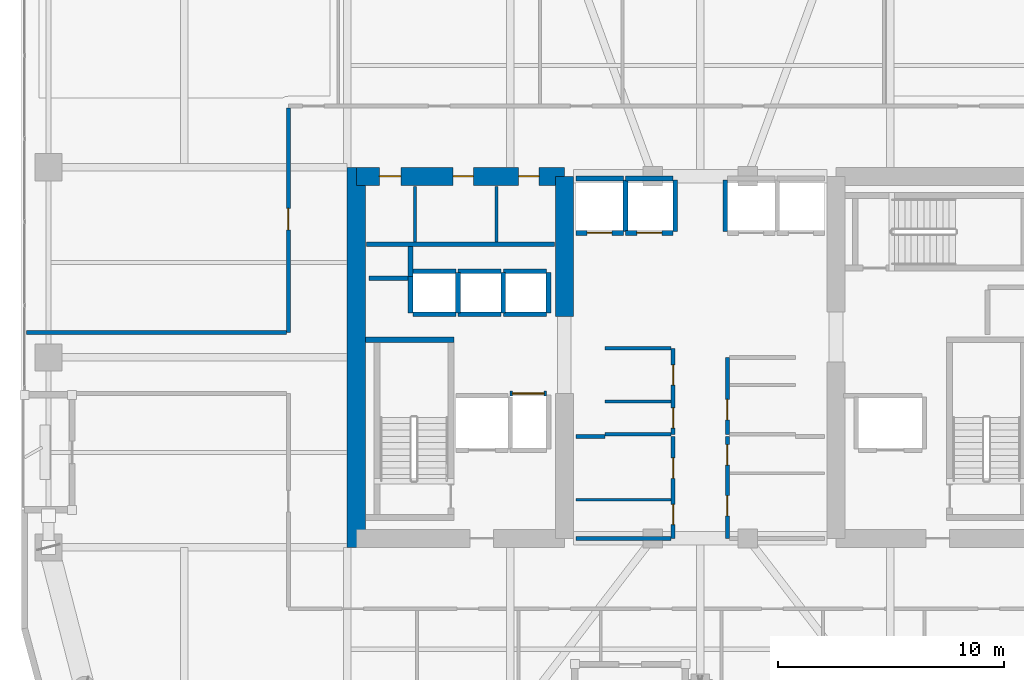
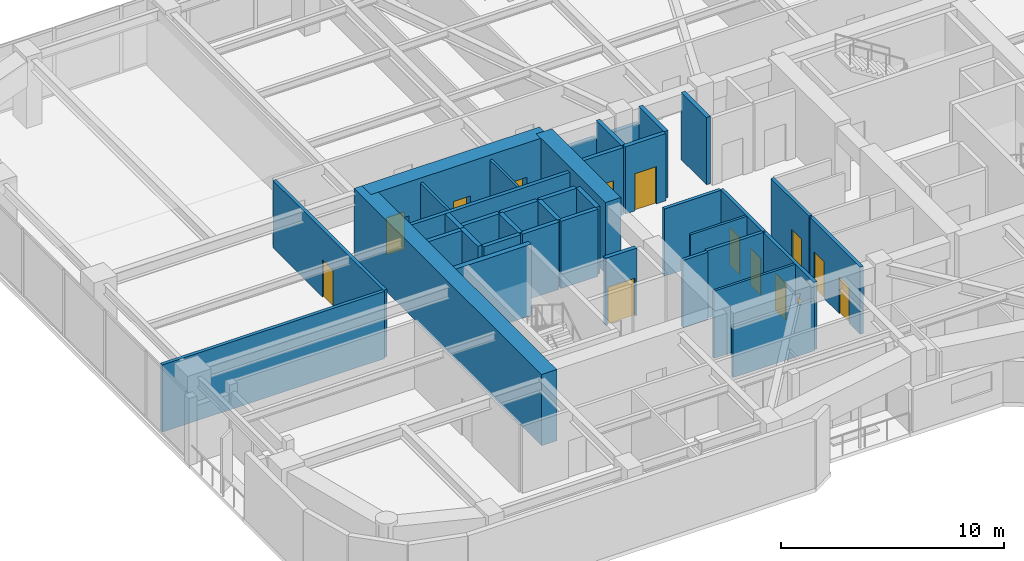
# One storey, part 25 of 30: 39 walls, 14 doors, 14 openings.
"""IFC4 building model written with IfcOpenShell, lengths in metres."""

from ifc_helpers import new_model, si_unit, direction, frame, frame_2d, origin, place, context, subcontext, project, spatial, rectangle, extrude, material, layer, layer_set, type_object, element, fill, save


model = new_model("IFC4")

# Units and contexts
model_context = context("Model", 3, precision=1e-05, world=origin(), true_north=direction((0.0, 1.0)))
body_context = subcontext(model_context, "Body", "Model", "MODEL_VIEW")
ifc_project = project(units=[si_unit("LENGTHUNIT", "METRE"), si_unit("AREAUNIT", "SQUARE_METRE"), si_unit("VOLUMEUNIT", "CUBIC_METRE"), si_unit("PLANEANGLEUNIT", "RADIAN"), si_unit("MASSUNIT", "GRAM", prefix="KILO")], contexts=[model_context])

# Site, building, storey
site_placement = place(None, origin())
site = spatial("IfcSite", under=ifc_project, at=site_placement, CompositionType="ELEMENT")
building_placement = place(site_placement, origin())
building = spatial("IfcBuilding", under=site, at=building_placement, Name="Kiyonajd Concourse Tower", CompositionType="ELEMENT")
storey_placement = place(building_placement, frame((0.0, 0.0, 170.10009765625)))
storey = spatial("IfcBuildingStorey", under=building, at=storey_placement, Name="L43", CompositionType="ELEMENT", Elevation=170.10009765625)

# Walls
ifc_material_1 = material(Name="Concrete C70/85", Category="concrete")
ifc_layer_1 = layer(ifc_material_1, 0.800048828125)
ifc_layer_set_1 = layer_set([ifc_layer_1], Name="Concrete C70/85")
wall_type_1 = type_object("IfcWallType", Name="WL-CORE-800", PredefinedType="SHEAR", material=ifc_layer_set_1)
wall_1_placement = place(storey_placement, frame((32.800048828125, 27.60009765625, 0.0), z_axis=(0.0, 0.0, 1.0), x_axis=(0.0, 1.0, 0.0)))
element("IfcWall", 1, at=wall_1_placement, inside=storey, type_object=wall_type_1, Name="L43 West Core Outer Shear Wall", PredefinedType="SHEAR", context=body_context, shape_type="SweptSolid", body=[
    extrude(rectangle(XDim=16.7998046875, YDim=0.800048828125, at=frame_2d((8.39990234375, 0.0))), origin(), (0.0, 0.0, 1.0), 3.89990234375),
])
wall_2_placement = place(storey_placement, frame((42.0, 37.800048828125, 0.0), z_axis=(0.0, 0.0, 1.0), x_axis=(0.0, 1.0, 0.0)))
element("IfcWall", 2, at=wall_2_placement, inside=storey, type_object=wall_type_1, Name="L43 West Core Inner North Shear Wall", PredefinedType="SHEAR", context=body_context, shape_type="SweptSolid", body=[
    extrude(rectangle(XDim=6.199951171875, YDim=0.800048828125, at=frame_2d((3.10009765625, 0.0))), origin(), (0.0, 0.0, 1.0), 3.89990234375),
])

# Wall, openings, doors
wall_3_placement = place(storey_placement, frame((32.800048828125, 44.0, 0.0), z_axis=(0.0, 0.0, 1.0), x_axis=(1.0, 0.0, 0.0)))
wall_3 = element("IfcWall", 3, at=wall_3_placement, inside=storey, type_object=wall_type_1, Name="L43 West Core North Shear Wall", PredefinedType="SHEAR", context=body_context, shape_type="SweptSolid", body=[
    extrude(rectangle(XDim=9.199951171875, YDim=0.800048828125, at=frame_2d((4.60009765625, 0.0))), origin(), (0.0, 0.0, 1.0), 3.89990234375),
])
opening_1_placement = place(wall_3_placement, frame((1.02490234375, 0.0, 0.0)))
opening_1 = element("IfcOpeningElement", 4, at=opening_1_placement, cuts=wall_3, Name="Opening DI1", PredefinedType="OPENING", context=body_context, shape_type="SweptSolid", body=[
    extrude(rectangle(XDim=0.949951171875, YDim=2.0400390625, at=frame_2d((0.47509765625, 1.02001953125))), frame((0.0, 0.409912109375, 0.0), z_axis=(0.0, -1.0, 0.0), x_axis=(1.0, 0.0, 0.0)), (0.0, 0.0, 1.0), 0.820068359375),
])
opening_2_placement = place(wall_3_placement, frame((4.27490234375, 0.0, 0.0)))
opening_2 = element("IfcOpeningElement", 5, at=opening_2_placement, cuts=wall_3, Name="Opening DI2", PredefinedType="OPENING", context=body_context, shape_type="SweptSolid", body=[
    extrude(rectangle(XDim=0.89990234375, YDim=2.02001953125, at=frame_2d((0.449951171875, 1.010009765625))), frame((0.0, 0.409912109375, 0.0), z_axis=(0.0, -1.0, 0.0), x_axis=(1.0, 0.0, 0.0)), (0.0, 0.0, 1.0), 0.820068359375),
])
opening_3_placement = place(wall_3_placement, frame((7.175048828125, 0.0, 0.0)))
opening_3 = element("IfcOpeningElement", 6, at=opening_3_placement, cuts=wall_3, Name="Opening DI2", PredefinedType="OPENING", context=body_context, shape_type="SweptSolid", body=[
    extrude(rectangle(XDim=0.89990234375, YDim=2.02001953125, at=frame_2d((0.449951171875, 1.010009765625))), frame((0.0, 0.409912109375, 0.0), z_axis=(0.0, -1.0, 0.0), x_axis=(1.0, 0.0, 0.0)), (0.0, 0.0, 1.0), 0.820068359375),
])
ifc_material_2 = material(Name="Natural Oak Acoustic Timber Veneer", Category="wood")
door_type_1 = type_object("IfcDoorType", Name="DR-INT-900", OperationType="NOTDEFINED", PredefinedType="DOOR", material=ifc_material_2)
door_1_placement = place(opening_2_placement, origin())
door_1 = element("IfcDoor", 7, at=door_1_placement, inside=storey, type_object=door_type_1, Name="L43 Male Restroom Door", OperationType="SINGLE_SWING_RIGHT", OverallHeight=2.02001953125, OverallWidth=0.89990234375, PredefinedType="DOOR", context=body_context, shape_type="SweptSolid", body=[
    extrude(rectangle(XDim=0.89990234375, YDim=2.02001953125, at=frame_2d((0.449951171875, 1.010009765625))), frame((0.0, 0.02490234375, 0.0), z_axis=(0.0, -1.0, 0.0), x_axis=(1.0, 0.0, 0.0)), (0.0, 0.0, 1.0), 0.050048828125),
])
fill(opening_2, door_1)
door_2_placement = place(opening_3_placement, origin())
door_2 = element("IfcDoor", 8, at=door_2_placement, inside=storey, type_object=door_type_1, Name="L43 Female Restroom Door", OperationType="SINGLE_SWING_LEFT", OverallHeight=2.02001953125, OverallWidth=0.89990234375, PredefinedType="DOOR", context=body_context, shape_type="SweptSolid", body=[
    extrude(rectangle(XDim=0.89990234375, YDim=2.02001953125, at=frame_2d((0.449951171875, 1.010009765625))), frame((0.0, 0.02490234375, 0.0), z_axis=(0.0, -1.0, 0.0), x_axis=(1.0, 0.0, 0.0)), (0.0, 0.0, 1.0), 0.050048828125),
])
fill(opening_3, door_2)
door_type_2 = type_object("IfcDoorType", Name="DR-INT-950", OperationType="NOTDEFINED", PredefinedType="DOOR", material=ifc_material_2)
door_3_placement = place(opening_1_placement, origin())
door_3 = element("IfcDoor", 9, at=door_3_placement, inside=storey, type_object=door_type_2, Name="L43 Single User Accessible WC Door", OperationType="SINGLE_SWING_LEFT", OverallHeight=2.0400390625, OverallWidth=0.949951171875, PredefinedType="DOOR", context=body_context, shape_type="SweptSolid", body=[
    extrude(rectangle(XDim=0.949951171875, YDim=2.0400390625, at=frame_2d((0.47509765625, 1.02001953125))), frame((0.0, 0.02490234375, 0.0), z_axis=(0.0, -1.0, 0.0), x_axis=(1.0, 0.0, 0.0)), (0.0, 0.0, 1.0), 0.050048828125),
])
fill(opening_1, door_3)

# Walls
ifc_material_3 = material(Name="Gypsum Board on Cold-Formed Steel Stud", Category="steel")
ifc_layer_2 = layer(ifc_material_3, 0.125)
ifc_layer_set_2 = layer_set([ifc_layer_2], Name="Gypsum Board on Cold-Formed Steel Stud")
wall_type_2 = type_object("IfcWallType", Name="WL-PART-125", PredefinedType="PARTITIONING", material=ifc_layer_set_2)
for number, where, z_axis, x_axis, name in (
    (10, (35.39990234375, 41.094970703125, 0.0), (0.0, 0.0, 1.0), (0.0, 1.0, 0.0), "L43 Interior Partition Wall"),
    (11, (39.0, 41.094970703125, 0.0), (0.0, 0.0, 1.0), (0.0, 1.0, 0.0), "L43 Interior Partition Wall"),
):
    element("IfcWall", number, at=place(storey_placement, frame(where, z_axis=z_axis, x_axis=x_axis)), inside=storey, type_object=wall_type_2, Name=name, PredefinedType="PARTITIONING", context=body_context, shape_type="SweptSolid", body=[
        extrude(rectangle(XDim=2.455078125, YDim=0.125, at=frame_2d((1.2275390625, 0.0))), origin(), (0.0, 0.0, 1.0), 3.679931640625),
    ])
wall_4_placement = place(storey_placement, frame((43.800048828125, 34.0439453125, 0.0), z_axis=(0.0, 0.0, 1.0), x_axis=(1.0, 0.0, 0.0)))
element("IfcWall", 12, at=wall_4_placement, inside=storey, type_object=wall_type_2, Name="L43 Interior Partition Wall", PredefinedType="PARTITIONING", context=body_context, shape_type="SweptSolid", body=[
    extrude(rectangle(XDim=2.912841796875, YDim=0.125, at=frame_2d((1.45654296875, 0.0))), origin(), (0.0, 0.0, 1.0), 3.679931640625),
])
wall_5_placement = place(storey_placement, frame((42.5, 29.7099609375, 0.0), z_axis=(0.0, 0.0, 1.0), x_axis=(1.0, 0.0, 0.0)))
element("IfcWall", 13, at=wall_5_placement, inside=storey, type_object=wall_type_2, Name="L43 Interior Partition Wall", PredefinedType="PARTITIONING", context=body_context, shape_type="SweptSolid", body=[
    extrude(rectangle(XDim=4.212890625, YDim=0.125, at=frame_2d((2.1064453125, 0.0))), origin(), (0.0, 0.0, 1.0), 3.679931640625),
])
ifc_layer_3 = layer(ifc_material_3, 0.18994140625)
ifc_layer_set_3 = layer_set([ifc_layer_3], Name="Gypsum Board on Cold-Formed Steel Stud")
wall_type_3 = type_object("IfcWallType", Name="WL-PLMB-190", PredefinedType="PLUMBINGWALL", material=ifc_layer_set_3)
wall_6_placement = place(storey_placement, frame((33.25, 41.0, 0.0), z_axis=(0.0, 0.0, 1.0), x_axis=(1.0, 0.0, 0.0)))
element("IfcWall", 14, at=wall_6_placement, inside=storey, type_object=wall_type_3, Name="L43 Interior Partition Wall", PredefinedType="PLUMBINGWALL", context=body_context, shape_type="SweptSolid", body=[
    extrude(rectangle(XDim=8.300048828125, YDim=0.18994140625, at=frame_2d((4.14990234375, 0.0))), origin(), (0.0, 0.0, 1.0), 3.679931640625),
])
ifc_layer_4 = layer(ifc_material_3, 0.2099609375)
ifc_layer_set_4 = layer_set([ifc_layer_4], Name="Gypsum Board on Cold-Formed Steel Stud")
wall_type_4 = type_object("IfcWallType", Name="WL-SHAFT-210", PredefinedType="PARTITIONING", material=ifc_layer_set_4)
wall_7_placement = place(storey_placement, frame((33.360107421875, 39.5, 0.0), z_axis=(0.0, 0.0, 1.0), x_axis=(1.0, 0.0, 0.0)))
element("IfcWall", 15, at=wall_7_placement, inside=storey, type_object=wall_type_4, Name="L43 Shaft Enclosure Wall", PredefinedType="PARTITIONING", context=body_context, shape_type="SweptSolid", body=[
    extrude(rectangle(XDim=1.85986328125, YDim=0.2099609375, at=frame_2d((0.929931640625, 0.0))), origin(), (0.0, 0.0, 1.0), 3.679931640625),
])
wall_8_placement = place(storey_placement, frame((35.199951171875, 39.580078125, 0.0), z_axis=(0.0, 0.0, 1.0), x_axis=(0.0, 1.0, 0.0)))
element("IfcWall", 16, at=wall_8_placement, inside=storey, type_object=wall_type_4, Name="L43 Shaft Enclosure Wall", PredefinedType="PARTITIONING", context=body_context, shape_type="SweptSolid", body=[
    extrude(rectangle(XDim=1.31982421875, YDim=0.2099609375, at=frame_2d((0.659912109375, 0.0))), origin(), (0.0, 0.0, 1.0), 3.679931640625),
])

# Wall, opening, door
wall_9_placement = place(storey_placement, frame((39.60009765625, 34.39990234375, 0.0), z_axis=(0.0, 0.0, 1.0), x_axis=(1.0, 0.0, 0.0)))
wall_9 = element("IfcWall", 17, at=wall_9_placement, inside=storey, type_object=wall_type_4, Name="L43 Shaft Enclosure Wall", PredefinedType="PARTITIONING", context=body_context, shape_type="SweptSolid", body=[
    extrude(rectangle(XDim=1.599853515625, YDim=0.2099609375, at=frame_2d((0.7998046875, 0.0))), origin(), (0.0, 0.0, 1.0), 3.679931640625),
])
opening_4_placement = place(wall_9_placement, frame((0.10009765625, 0.0, 0.0)))
opening_4 = element("IfcOpeningElement", 18, at=opening_4_placement, cuts=wall_9, Name="Opening LD3", PredefinedType="OPENING", context=body_context, shape_type="SweptSolid", body=[
    extrude(rectangle(XDim=1.39990234375, YDim=2.06005859375, at=frame_2d((0.699951171875, 1.030029296875))), frame((0.0, 0.114990234375, 0.0), z_axis=(0.0, -1.0, 0.0), x_axis=(1.0, 0.0, 0.0)), (0.0, 0.0, 1.0), 0.22998046875),
])
ifc_material_4 = material(Name="Brushed Stainless Steel Cab Assembly", Category="steel")
door_type_3 = type_object("IfcDoorType", Name="DR-LD-1400", OperationType="DOUBLE_DOOR_SLIDING", PredefinedType="DOOR", material=ifc_material_4)
door_4_placement = place(opening_4_placement, origin())
door_4 = element("IfcDoor", 19, at=door_4_placement, inside=storey, type_object=door_type_3, Name="L43 Lift SVL1 Sliding Landing Door", OperationType="DOUBLE_DOOR_SLIDING", OverallHeight=2.06005859375, OverallWidth=1.39990234375, PredefinedType="DOOR", context=body_context, shape_type="SweptSolid", body=[
    extrude(rectangle(XDim=1.39990234375, YDim=2.06005859375, at=frame_2d((0.699951171875, 1.030029296875))), frame((0.0, 0.02490234375, 0.0), z_axis=(0.0, -1.0, 0.0), x_axis=(1.0, 0.0, 0.0)), (0.0, 0.0, 1.0), 0.050048828125),
])
fill(opening_4, door_4)

wall_10_placement = place(storey_placement, frame((42.5, 41.5, 0.0), z_axis=(0.0, 0.0, 1.0), x_axis=(1.0, 0.0, 0.0)))
wall_10 = element("IfcWall", 20, at=wall_10_placement, inside=storey, type_object=wall_type_4, Name="L43 Shaft Enclosure Wall", PredefinedType="PARTITIONING", context=body_context, shape_type="SweptSolid", body=[
    extrude(rectangle(XDim=2.10009765625, YDim=0.2099609375, at=frame_2d((1.050048828125, 0.0))), origin(), (0.0, 0.0, 1.0), 3.679931640625),
])
opening_5_placement = place(wall_10_placement, frame((0.5, 0.0, 0.0)))
opening_5 = element("IfcOpeningElement", 21, at=opening_5_placement, cuts=wall_10, Name="Opening LD1", PredefinedType="OPENING", context=body_context, shape_type="SweptSolid", body=[
    extrude(rectangle(XDim=1.10009765625, YDim=2.0400390625, at=frame_2d((0.550048828125, 1.02001953125))), frame((0.0, 0.114990234375, 0.0), z_axis=(0.0, -1.0, 0.0), x_axis=(1.0, 0.0, 0.0)), (0.0, 0.0, 1.0), 0.22998046875),
])
door_type_4 = type_object("IfcDoorType", Name="DR-LD-1100", OperationType="DOUBLE_DOOR_SLIDING", PredefinedType="DOOR", material=ifc_material_4)
door_5_placement = place(opening_5_placement, origin())
door_5 = element("IfcDoor", 22, at=door_5_placement, inside=storey, type_object=door_type_4, Name="L43 Lift PL-M1 Sliding Landing Door", OperationType="DOUBLE_DOOR_SLIDING", OverallHeight=2.0400390625, OverallWidth=1.10009765625, PredefinedType="DOOR", context=body_context, shape_type="SweptSolid", body=[
    extrude(rectangle(XDim=1.10009765625, YDim=2.0400390625, at=frame_2d((0.550048828125, 1.02001953125))), frame((0.0, 0.02490234375, 0.0), z_axis=(0.0, -1.0, 0.0), x_axis=(1.0, 0.0, 0.0)), (0.0, 0.0, 1.0), 0.050048828125),
])
fill(opening_5, door_5)

# Walls
wall_11_placement = place(storey_placement, frame((42.5, 43.89990234375, 0.0), z_axis=(0.0, 0.0, 1.0), x_axis=(1.0, 0.0, 0.0)))
element("IfcWall", 23, at=wall_11_placement, inside=storey, type_object=wall_type_4, Name="L43 Shaft Enclosure Wall", PredefinedType="PARTITIONING", context=body_context, shape_type="SweptSolid", body=[
    extrude(rectangle(XDim=2.10009765625, YDim=0.2099609375, at=frame_2d((1.050048828125, 0.0))), origin(), (0.0, 0.0, 1.0), 2.764892578125),
])
wall_12_placement = place(storey_placement, frame((44.699951171875, 41.56005859375, 0.0), z_axis=(0.0, 0.0, 1.0), x_axis=(0.0, 1.0, 0.0)))
element("IfcWall", 24, at=wall_12_placement, inside=storey, type_object=wall_type_4, Name="L43 Shaft Enclosure Wall", PredefinedType="PARTITIONING", context=body_context, shape_type="SweptSolid", body=[
    extrude(rectangle(XDim=2.280029296875, YDim=0.2099609375, at=frame_2d((1.14013671875, 0.0))), origin(), (0.0, 0.0, 1.0), 3.679931640625),
])

# Wall, opening, door
wall_13_placement = place(storey_placement, frame((44.699951171875, 41.5, 0.0), z_axis=(0.0, 0.0, 1.0), x_axis=(1.0, 0.0, 0.0)))
wall_13 = element("IfcWall", 25, at=wall_13_placement, inside=storey, type_object=wall_type_4, Name="L43 Shaft Enclosure Wall", PredefinedType="PARTITIONING", context=body_context, shape_type="SweptSolid", body=[
    extrude(rectangle(XDim=2.10009765625, YDim=0.2099609375, at=frame_2d((1.050048828125, 0.0))), origin(), (0.0, 0.0, 1.0), 3.679931640625),
])
opening_6_placement = place(wall_13_placement, frame((0.5, 0.0, 0.0)))
opening_6 = element("IfcOpeningElement", 26, at=opening_6_placement, cuts=wall_13, Name="Opening LD1", PredefinedType="OPENING", context=body_context, shape_type="SweptSolid", body=[
    extrude(rectangle(XDim=1.10009765625, YDim=2.0400390625, at=frame_2d((0.550048828125, 1.02001953125))), frame((0.0, 0.114990234375, 0.0), z_axis=(0.0, -1.0, 0.0), x_axis=(1.0, 0.0, 0.0)), (0.0, 0.0, 1.0), 0.22998046875),
])
door_6_placement = place(opening_6_placement, origin())
door_6 = element("IfcDoor", 27, at=door_6_placement, inside=storey, type_object=door_type_4, Name="L43 Lift PL-M2 Sliding Landing Door", OperationType="DOUBLE_DOOR_SLIDING", OverallHeight=2.0400390625, OverallWidth=1.10009765625, PredefinedType="DOOR", context=body_context, shape_type="SweptSolid", body=[
    extrude(rectangle(XDim=1.10009765625, YDim=2.0400390625, at=frame_2d((0.550048828125, 1.02001953125))), frame((0.0, 0.02490234375, 0.0), z_axis=(0.0, -1.0, 0.0), x_axis=(1.0, 0.0, 0.0)), (0.0, 0.0, 1.0), 0.050048828125),
])
fill(opening_6, door_6)

# Walls
wall_14_placement = place(storey_placement, frame((44.699951171875, 43.89990234375, 0.0), z_axis=(0.0, 0.0, 1.0), x_axis=(1.0, 0.0, 0.0)))
element("IfcWall", 28, at=wall_14_placement, inside=storey, type_object=wall_type_4, Name="L43 Shaft Enclosure Wall", PredefinedType="PARTITIONING", context=body_context, shape_type="SweptSolid", body=[
    extrude(rectangle(XDim=2.10009765625, YDim=0.2099609375, at=frame_2d((1.050048828125, 0.0))), origin(), (0.0, 0.0, 1.0), 2.764892578125),
])
for number, where, z_axis, x_axis, name in (
    (29, (46.89990234375, 41.56005859375, 0.0), (0.0, 0.0, 1.0), (0.0, 1.0, 0.0), "L43 Shaft Enclosure Wall"),
    (30, (49.10009765625, 41.56005859375, 0.0), (0.0, 0.0, 1.0), (0.0, 1.0, 0.0), "L43 Shaft Enclosure Wall"),
):
    element("IfcWall", number, at=place(storey_placement, frame(where, z_axis=z_axis, x_axis=x_axis)), inside=storey, type_object=wall_type_4, Name=name, PredefinedType="PARTITIONING", context=body_context, shape_type="SweptSolid", body=[
        extrude(rectangle(XDim=2.280029296875, YDim=0.2099609375, at=frame_2d((1.14013671875, 0.0))), origin(), (0.0, 0.0, 1.0), 3.679931640625),
    ])
for number, where, z_axis, x_axis, name in (
    (31, (35.300048828125, 37.89990234375, 0.0), (0.0, 0.0, 1.0), (1.0, 0.0, 0.0), "L43 Shaft Enclosure Wall"),
    (32, (35.300048828125, 39.800048828125, 0.0), (0.0, 0.0, 1.0), (1.0, 0.0, 0.0), "L43 Shaft Enclosure Wall"),
):
    element("IfcWall", number, at=place(storey_placement, frame(where, z_axis=z_axis, x_axis=x_axis)), inside=storey, type_object=wall_type_4, Name=name, PredefinedType="PARTITIONING", context=body_context, shape_type="SweptSolid", body=[
        extrude(rectangle(XDim=1.89990234375, YDim=0.2099609375, at=frame_2d((0.949951171875, 0.0))), origin(), (0.0, 0.0, 1.0), 3.679931640625),
    ])
wall_15_placement = place(storey_placement, frame((35.199951171875, 37.9599609375, 0.0), z_axis=(0.0, 0.0, 1.0), x_axis=(0.0, 1.0, 0.0)))
element("IfcWall", 33, at=wall_15_placement, inside=storey, type_object=wall_type_4, Name="L43 Shaft Enclosure Wall", PredefinedType="PARTITIONING", context=body_context, shape_type="SweptSolid", body=[
    extrude(rectangle(XDim=1.6201171875, YDim=0.2099609375, at=frame_2d((0.81005859375, 0.0))), origin(), (0.0, 0.0, 1.0), 3.679931640625),
])
wall_16_placement = place(storey_placement, frame((37.300048828125, 37.9599609375, 0.0), z_axis=(0.0, 0.0, 1.0), x_axis=(0.0, 1.0, 0.0)))
element("IfcWall", 34, at=wall_16_placement, inside=storey, type_object=wall_type_4, Name="L43 Shaft Enclosure Wall", PredefinedType="PARTITIONING", context=body_context, shape_type="SweptSolid", body=[
    extrude(rectangle(XDim=1.780029296875, YDim=0.2099609375, at=frame_2d((0.89013671875, 0.0))), origin(), (0.0, 0.0, 1.0), 3.679931640625),
])
for number, where, z_axis, x_axis, name in (
    (35, (37.300048828125, 37.89990234375, 0.0), (0.0, 0.0, 1.0), (1.0, 0.0, 0.0), "L43 Shaft Enclosure Wall"),
    (36, (37.300048828125, 39.800048828125, 0.0), (0.0, 0.0, 1.0), (1.0, 0.0, 0.0), "L43 Shaft Enclosure Wall"),
):
    element("IfcWall", number, at=place(storey_placement, frame(where, z_axis=z_axis, x_axis=x_axis)), inside=storey, type_object=wall_type_4, Name=name, PredefinedType="PARTITIONING", context=body_context, shape_type="SweptSolid", body=[
        extrude(rectangle(XDim=1.89990234375, YDim=0.2099609375, at=frame_2d((0.949951171875, 0.0))), origin(), (0.0, 0.0, 1.0), 3.679931640625),
    ])
wall_17_placement = place(storey_placement, frame((39.300048828125, 37.9599609375, 0.0), z_axis=(0.0, 0.0, 1.0), x_axis=(0.0, 1.0, 0.0)))
element("IfcWall", 37, at=wall_17_placement, inside=storey, type_object=wall_type_4, Name="L43 Shaft Enclosure Wall", PredefinedType="PARTITIONING", context=body_context, shape_type="SweptSolid", body=[
    extrude(rectangle(XDim=1.780029296875, YDim=0.2099609375, at=frame_2d((0.89013671875, 0.0))), origin(), (0.0, 0.0, 1.0), 3.679931640625),
])
for number, where, z_axis, x_axis, name in (
    (38, (39.300048828125, 37.89990234375, 0.0), (0.0, 0.0, 1.0), (1.0, 0.0, 0.0), "L43 Shaft Enclosure Wall"),
    (39, (39.300048828125, 39.800048828125, 0.0), (0.0, 0.0, 1.0), (1.0, 0.0, 0.0), "L43 Shaft Enclosure Wall"),
):
    element("IfcWall", number, at=place(storey_placement, frame(where, z_axis=z_axis, x_axis=x_axis)), inside=storey, type_object=wall_type_4, Name=name, PredefinedType="PARTITIONING", context=body_context, shape_type="SweptSolid", body=[
        extrude(rectangle(XDim=1.89990234375, YDim=0.2099609375, at=frame_2d((0.949951171875, 0.0))), origin(), (0.0, 0.0, 1.0), 3.679931640625),
    ])
wall_18_placement = place(storey_placement, frame((41.300048828125, 37.9599609375, 0.0), z_axis=(0.0, 0.0, 1.0), x_axis=(0.0, 1.0, 0.0)))
element("IfcWall", 40, at=wall_18_placement, inside=storey, type_object=wall_type_4, Name="L43 Shaft Enclosure Wall", PredefinedType="PARTITIONING", context=body_context, shape_type="SweptSolid", body=[
    extrude(rectangle(XDim=1.780029296875, YDim=0.2099609375, at=frame_2d((0.89013671875, 0.0))), origin(), (0.0, 0.0, 1.0), 3.679931640625),
])

# Wall, openings, doors
ifc_layer_5 = layer(ifc_material_3, 0.169921875)
ifc_layer_set_5 = layer_set([ifc_layer_5], Name="Gypsum Board on Cold-Formed Steel Stud")
wall_type_5 = type_object("IfcWallType", Name="WL-SMK-170", PredefinedType="PARTITIONING", material=ifc_layer_set_5)
wall_19_placement = place(storey_placement, frame((46.800048828125, 32.60009765625, 0.0), z_axis=(0.0, 0.0, 1.0), x_axis=(0.0, 1.0, 0.0)))
wall_19 = element("IfcWall", 41, at=wall_19_placement, inside=storey, type_object=wall_type_5, Name="L43 Interior Partition Wall", PredefinedType="PARTITIONING", context=body_context, shape_type="SweptSolid", body=[
    extrude(rectangle(XDim=3.7998046875, YDim=0.169921875, at=frame_2d((1.89990234375, 0.0))), origin(), (0.0, 0.0, 1.0), 3.679931640625),
])
opening_7_placement = place(wall_19_placement, frame((0.27197265625, 0.0, 0.0)))
opening_7 = element("IfcOpeningElement", 42, at=opening_7_placement, cuts=wall_19, Name="Opening DI2", PredefinedType="OPENING", context=body_context, shape_type="SweptSolid", body=[
    extrude(rectangle(XDim=0.89990234375, YDim=2.02001953125, at=frame_2d((0.449951171875, 1.010009765625))), frame((0.0, 0.094970703125, 0.0), z_axis=(0.0, -1.0, 0.0), x_axis=(1.0, 0.0, 0.0)), (0.0, 0.0, 1.0), 0.18994140625),
])
opening_8_placement = place(wall_19_placement, frame((2.172119140625, 0.0, 0.0)))
opening_8 = element("IfcOpeningElement", 43, at=opening_8_placement, cuts=wall_19, Name="Opening DI2", PredefinedType="OPENING", context=body_context, shape_type="SweptSolid", body=[
    extrude(rectangle(XDim=0.89990234375, YDim=2.02001953125, at=frame_2d((0.449951171875, 1.010009765625))), frame((0.0, 0.094970703125, 0.0), z_axis=(0.0, -1.0, 0.0), x_axis=(1.0, 0.0, 0.0)), (0.0, 0.0, 1.0), 0.18994140625),
])
door_7_placement = place(opening_7_placement, origin())
door_7 = element("IfcDoor", 44, at=door_7_placement, inside=storey, type_object=door_type_1, Name="L43 Interior Door", OperationType="SINGLE_SWING_LEFT", OverallHeight=2.02001953125, OverallWidth=0.89990234375, PredefinedType="DOOR", context=body_context, shape_type="SweptSolid", body=[
    extrude(rectangle(XDim=0.89990234375, YDim=2.02001953125, at=frame_2d((0.449951171875, 1.010009765625))), frame((0.0, 0.02490234375, 0.0), z_axis=(0.0, -1.0, 0.0), x_axis=(1.0, 0.0, 0.0)), (0.0, 0.0, 1.0), 0.050048828125),
])
fill(opening_7, door_7)
door_8_placement = place(opening_8_placement, origin())
door_8 = element("IfcDoor", 45, at=door_8_placement, inside=storey, type_object=door_type_1, Name="L43 Interior Door", OperationType="SINGLE_SWING_RIGHT", OverallHeight=2.02001953125, OverallWidth=0.89990234375, PredefinedType="DOOR", context=body_context, shape_type="SweptSolid", body=[
    extrude(rectangle(XDim=0.89990234375, YDim=2.02001953125, at=frame_2d((0.449951171875, 1.010009765625))), frame((0.0, 0.02490234375, 0.0), z_axis=(0.0, -1.0, 0.0), x_axis=(1.0, 0.0, 0.0)), (0.0, 0.0, 1.0), 0.050048828125),
])
fill(opening_8, door_8)

# Walls
for number, where, z_axis, x_axis, name in (
    (46, (43.800048828125, 32.60009765625, 0.0), (0.0, 0.0, 1.0), (1.0, 0.0, 0.0), "L43 Interior Partition Wall"),
    (47, (43.800048828125, 36.39990234375, 0.0), (0.0, 0.0, 1.0), (1.0, 0.0, 0.0), "L43 Interior Partition Wall"),
):
    element("IfcWall", number, at=place(storey_placement, frame(where, z_axis=z_axis, x_axis=x_axis)), inside=storey, type_object=wall_type_5, Name=name, PredefinedType="PARTITIONING", context=body_context, shape_type="SweptSolid", body=[
        extrude(rectangle(XDim=2.912841796875, YDim=0.169921875, at=frame_2d((1.45654296875, 0.0))), origin(), (0.0, 0.0, 1.0), 3.679931640625),
    ])

# Wall, opening, door
wall_20_placement = place(storey_placement, frame((49.199951171875, 32.60009765625, 0.0), z_axis=(0.0, 0.0, 1.0), x_axis=(0.0, 1.0, 0.0)))
wall_20 = element("IfcWall", 48, at=wall_20_placement, inside=storey, type_object=wall_type_5, Name="L43 Interior Partition Wall", PredefinedType="PARTITIONING", context=body_context, shape_type="SweptSolid", body=[
    extrude(rectangle(XDim=3.39990234375, YDim=0.169921875, at=frame_2d((1.699951171875, 0.0))), origin(), (0.0, 0.0, 1.0), 3.679931640625),
])
opening_9_placement = place(wall_20_placement, frame((0.637939453125, 0.0, 0.0)))
opening_9 = element("IfcOpeningElement", 49, at=opening_9_placement, cuts=wall_20, Name="Opening DF4", PredefinedType="OPENING", context=body_context, shape_type="SweptSolid", body=[
    extrude(rectangle(XDim=0.89990234375, YDim=2.02001953125, at=frame_2d((0.449951171875, 1.010009765625))), frame((0.0, 0.094970703125, 0.0), z_axis=(0.0, -1.0, 0.0), x_axis=(1.0, 0.0, 0.0)), (0.0, 0.0, 1.0), 0.18994140625),
])
door_type_5 = type_object("IfcDoorType", Name="DR-FD60-900", OperationType="NOTDEFINED", PredefinedType="DOOR", material=ifc_material_4)
door_9_placement = place(opening_9_placement, origin())
door_9 = element("IfcDoor", 50, at=door_9_placement, inside=storey, type_object=door_type_5, Name="L43 Interior Door", OperationType="SINGLE_SWING_LEFT", OverallHeight=2.02001953125, OverallWidth=0.89990234375, PredefinedType="DOOR", context=body_context, shape_type="SweptSolid", body=[
    extrude(rectangle(XDim=0.89990234375, YDim=2.02001953125, at=frame_2d((0.449951171875, 1.010009765625))), frame((0.0, 0.02490234375, 0.0), z_axis=(0.0, -1.0, 0.0), x_axis=(1.0, 0.0, 0.0)), (0.0, 0.0, 1.0), 0.050048828125),
])
fill(opening_9, door_9)

# Wall, openings, doors
wall_21_placement = place(storey_placement, frame((46.800048828125, 28.0, 0.0), z_axis=(0.0, 0.0, 1.0), x_axis=(0.0, 1.0, 0.0)))
wall_21 = element("IfcWall", 51, at=wall_21_placement, inside=storey, type_object=wall_type_5, Name="L43 Interior Partition Wall", PredefinedType="PARTITIONING", context=body_context, shape_type="SweptSolid", body=[
    extrude(rectangle(XDim=4.5, YDim=0.169921875, at=frame_2d((2.25, 0.0))), origin(), (0.0, 0.0, 1.0), 3.679931640625),
])
opening_10_placement = place(wall_21_placement, frame((0.60498046875, 0.0, 0.0)))
opening_10 = element("IfcOpeningElement", 52, at=opening_10_placement, cuts=wall_21, Name="Opening DI2", PredefinedType="OPENING", context=body_context, shape_type="SweptSolid", body=[
    extrude(rectangle(XDim=0.89990234375, YDim=2.02001953125, at=frame_2d((0.449951171875, 1.010009765625))), frame((0.0, 0.094970703125, 0.0), z_axis=(0.0, -1.0, 0.0), x_axis=(1.0, 0.0, 0.0)), (0.0, 0.0, 1.0), 0.18994140625),
])
opening_11_placement = place(wall_21_placement, frame((2.655029296875, 0.0, 0.0)))
opening_11 = element("IfcOpeningElement", 53, at=opening_11_placement, cuts=wall_21, Name="Opening DI2", PredefinedType="OPENING", context=body_context, shape_type="SweptSolid", body=[
    extrude(rectangle(XDim=0.89990234375, YDim=2.02001953125, at=frame_2d((0.449951171875, 1.010009765625))), frame((0.0, 0.094970703125, 0.0), z_axis=(0.0, -1.0, 0.0), x_axis=(1.0, 0.0, 0.0)), (0.0, 0.0, 1.0), 0.18994140625),
])
door_10_placement = place(opening_10_placement, origin())
door_10 = element("IfcDoor", 54, at=door_10_placement, inside=storey, type_object=door_type_1, Name="L43 Interior Door", OperationType="SINGLE_SWING_RIGHT", OverallHeight=2.02001953125, OverallWidth=0.89990234375, PredefinedType="DOOR", context=body_context, shape_type="SweptSolid", body=[
    extrude(rectangle(XDim=0.89990234375, YDim=2.02001953125, at=frame_2d((0.449951171875, 1.010009765625))), frame((0.0, 0.02490234375, 0.0), z_axis=(0.0, -1.0, 0.0), x_axis=(1.0, 0.0, 0.0)), (0.0, 0.0, 1.0), 0.050048828125),
])
fill(opening_10, door_10)
door_11_placement = place(opening_11_placement, origin())
door_11 = element("IfcDoor", 55, at=door_11_placement, inside=storey, type_object=door_type_1, Name="L43 Interior Door", OperationType="SINGLE_SWING_LEFT", OverallHeight=2.02001953125, OverallWidth=0.89990234375, PredefinedType="DOOR", context=body_context, shape_type="SweptSolid", body=[
    extrude(rectangle(XDim=0.89990234375, YDim=2.02001953125, at=frame_2d((0.449951171875, 1.010009765625))), frame((0.0, 0.02490234375, 0.0), z_axis=(0.0, -1.0, 0.0), x_axis=(1.0, 0.0, 0.0)), (0.0, 0.0, 1.0), 0.050048828125),
])
fill(opening_11, door_11)

# Walls
wall_22_placement = place(storey_placement, frame((42.5, 28.0, 0.0), z_axis=(0.0, 0.0, 1.0), x_axis=(1.0, 0.0, 0.0)))
element("IfcWall", 56, at=wall_22_placement, inside=storey, type_object=wall_type_5, Name="L43 Interior Partition Wall", PredefinedType="PARTITIONING", context=body_context, shape_type="SweptSolid", body=[
    extrude(rectangle(XDim=4.212890625, YDim=0.169921875, at=frame_2d((2.1064453125, 0.0))), origin(), (0.0, 0.0, 1.0), 2.764892578125),
])
wall_23_placement = place(storey_placement, frame((42.5, 32.5, 0.0), z_axis=(0.0, 0.0, 1.0), x_axis=(1.0, 0.0, 0.0)))
element("IfcWall", 57, at=wall_23_placement, inside=storey, type_object=wall_type_5, Name="L43 Interior Partition Wall", PredefinedType="PARTITIONING", context=body_context, shape_type="SweptSolid", body=[
    extrude(rectangle(XDim=1.300048828125, YDim=0.169921875, at=frame_2d((0.64990234375, 0.0))), origin(), (0.0, 0.0, 1.0), 3.679931640625),
])

# Wall, openings, doors
wall_24_placement = place(storey_placement, frame((49.199951171875, 28.0, 0.0), z_axis=(0.0, 0.0, 1.0), x_axis=(0.0, 1.0, 0.0)))
wall_24 = element("IfcWall", 58, at=wall_24_placement, inside=storey, type_object=wall_type_5, Name="L43 Interior Partition Wall", PredefinedType="PARTITIONING", context=body_context, shape_type="SweptSolid", body=[
    extrude(rectangle(XDim=4.5, YDim=0.169921875, at=frame_2d((2.25, 0.0))), origin(), (0.0, 0.0, 1.0), 3.679931640625),
])
opening_12_placement = place(wall_24_placement, frame((0.989990234375, 0.0, 0.0)))
opening_12 = element("IfcOpeningElement", 59, at=opening_12_placement, cuts=wall_24, Name="Opening DF4", PredefinedType="OPENING", context=body_context, shape_type="SweptSolid", body=[
    extrude(rectangle(XDim=0.89990234375, YDim=2.02001953125, at=frame_2d((0.449951171875, 1.010009765625))), frame((0.0, 0.094970703125, 0.0), z_axis=(0.0, -1.0, 0.0), x_axis=(1.0, 0.0, 0.0)), (0.0, 0.0, 1.0), 0.18994140625),
])
opening_13_placement = place(wall_24_placement, frame((3.239990234375, 0.0, 0.0)))
opening_13 = element("IfcOpeningElement", 60, at=opening_13_placement, cuts=wall_24, Name="Opening DF4", PredefinedType="OPENING", context=body_context, shape_type="SweptSolid", body=[
    extrude(rectangle(XDim=0.89990234375, YDim=2.02001953125, at=frame_2d((0.449951171875, 1.010009765625))), frame((0.0, 0.094970703125, 0.0), z_axis=(0.0, -1.0, 0.0), x_axis=(1.0, 0.0, 0.0)), (0.0, 0.0, 1.0), 0.18994140625),
])
door_12_placement = place(opening_12_placement, origin())
door_12 = element("IfcDoor", 61, at=door_12_placement, inside=storey, type_object=door_type_5, Name="L43 Interior Door", OperationType="SINGLE_SWING_RIGHT", OverallHeight=2.02001953125, OverallWidth=0.89990234375, PredefinedType="DOOR", context=body_context, shape_type="SweptSolid", body=[
    extrude(rectangle(XDim=0.89990234375, YDim=2.02001953125, at=frame_2d((0.449951171875, 1.010009765625))), frame((0.0, 0.02490234375, 0.0), z_axis=(0.0, -1.0, 0.0), x_axis=(1.0, 0.0, 0.0)), (0.0, 0.0, 1.0), 0.050048828125),
])
fill(opening_12, door_12)
door_13_placement = place(opening_13_placement, origin())
door_13 = element("IfcDoor", 62, at=door_13_placement, inside=storey, type_object=door_type_5, Name="L43 Interior Door", OperationType="SINGLE_SWING_LEFT", OverallHeight=2.02001953125, OverallWidth=0.89990234375, PredefinedType="DOOR", context=body_context, shape_type="SweptSolid", body=[
    extrude(rectangle(XDim=0.89990234375, YDim=2.02001953125, at=frame_2d((0.449951171875, 1.010009765625))), frame((0.0, 0.02490234375, 0.0), z_axis=(0.0, -1.0, 0.0), x_axis=(1.0, 0.0, 0.0)), (0.0, 0.0, 1.0), 0.050048828125),
])
fill(opening_13, door_13)

# Wall, opening, door
wall_25_placement = place(storey_placement, frame((29.800048828125, 37.10009765625, 0.0), z_axis=(0.0, 0.0, 1.0), x_axis=(0.0, 1.0, 0.0)))
wall_25 = element("IfcWall", 63, at=wall_25_placement, inside=storey, type_object=wall_type_5, Name="L43 Interior Partition Wall", PredefinedType="PARTITIONING", context=body_context, shape_type="SweptSolid", body=[
    extrude(rectangle(XDim=9.9228515625, YDim=0.169921875, at=frame_2d((4.96142578125, 0.0))), origin(), (0.0, 0.0, 1.0), 3.679931640625),
])
opening_14_placement = place(wall_25_placement, frame((4.530029296875, 0.0, 0.0)))
opening_14 = element("IfcOpeningElement", 64, at=opening_14_placement, cuts=wall_25, Name="Opening DI1", PredefinedType="OPENING", context=body_context, shape_type="SweptSolid", body=[
    extrude(rectangle(XDim=0.949951171875, YDim=2.0400390625, at=frame_2d((0.47509765625, 1.02001953125))), frame((0.0, 0.094970703125, 0.0), z_axis=(0.0, -1.0, 0.0), x_axis=(1.0, 0.0, 0.0)), (0.0, 0.0, 1.0), 0.18994140625),
])
door_14_placement = place(opening_14_placement, origin())
door_14 = element("IfcDoor", 65, at=door_14_placement, inside=storey, type_object=door_type_2, Name="L43 Interior Door", OperationType="SINGLE_SWING_LEFT", OverallHeight=2.0400390625, OverallWidth=0.949951171875, PredefinedType="DOOR", context=body_context, shape_type="SweptSolid", body=[
    extrude(rectangle(XDim=0.949951171875, YDim=2.0400390625, at=frame_2d((0.47509765625, 1.02001953125))), frame((0.0, 0.02490234375, 0.0), z_axis=(0.0, -1.0, 0.0), x_axis=(1.0, 0.0, 0.0)), (0.0, 0.0, 1.0), 0.050048828125),
])
fill(opening_14, door_14)

# Walls
wall_26_placement = place(storey_placement, frame((18.22509765625, 37.10009765625, 0.0), z_axis=(0.0, 0.0, 1.0), x_axis=(1.0, 0.0, 0.0)))
element("IfcWall", 66, at=wall_26_placement, inside=storey, type_object=wall_type_5, Name="L43 Interior Partition Wall", PredefinedType="PARTITIONING", context=body_context, shape_type="SweptSolid", body=[
    extrude(rectangle(XDim=11.48779296875, YDim=0.169921875, at=frame_2d((5.743896484375, 0.0))), origin(), (0.0, 0.0, 1.0), 3.679931640625),
])
ifc_material_5 = material(Name="Concrete C50/60", Category="concrete")
ifc_layer_6 = layer(ifc_material_5, 0.260009765625)
ifc_layer_set_6 = layer_set([ifc_layer_6], Name="Concrete C50/60")
wall_type_6 = type_object("IfcWallType", Name="WL-STAIR-260", PredefinedType="SHEAR", material=ifc_layer_set_6)
wall_27_placement = place(storey_placement, frame((33.199951171875, 36.780029296875, 0.0), z_axis=(0.0, 0.0, 1.0), x_axis=(1.0, 0.0, 0.0)))
element("IfcWall", 67, at=wall_27_placement, inside=storey, type_object=wall_type_6, Name="L43 Stair ST1 Structural North Wall", PredefinedType="SHEAR", context=body_context, shape_type="SweptSolid", body=[
    extrude(rectangle(XDim=3.91015625, YDim=0.260009765625, at=frame_2d((1.955078125, 0.0))), origin(), (0.0, 0.0, 1.0), 3.89990234375),
])

save(model, "model.ifc")
